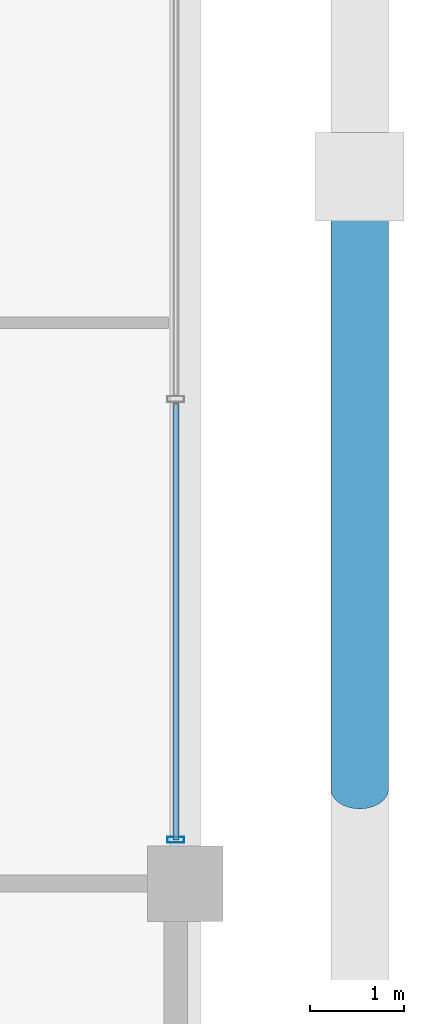
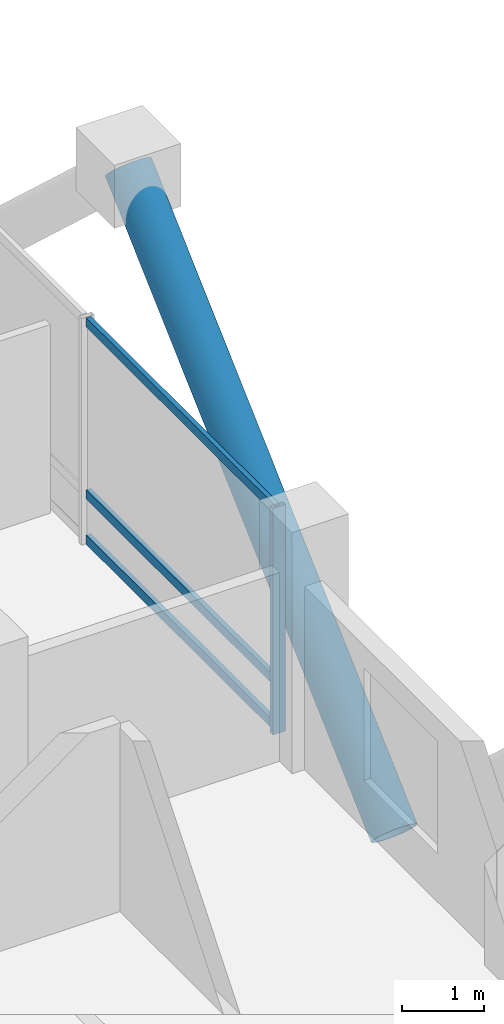
# One storey, part 8 of 23: 5 members, 1 element without a shape of its own.
"""IFC4 building model written with IfcOpenShell, lengths in metres."""

from ifc_helpers import new_model, si_unit, direction, frame, origin, origin_2d, place, context, subcontext, project, spatial, hollow_rectangle, hollow_circle, extrude, material, layer, layer_set, material_profile, profile_set, type_object, element, aggregate, save


model = new_model("IFC4")

# Units and contexts
model_context = context("Model", 3, precision=1e-05, world=origin(), true_north=direction((0.0, 1.0)))
body_context = subcontext(model_context, "Body", "Model", "MODEL_VIEW")
ifc_project = project(units=[si_unit("LENGTHUNIT", "METRE"), si_unit("AREAUNIT", "SQUARE_METRE"), si_unit("VOLUMEUNIT", "CUBIC_METRE"), si_unit("PLANEANGLEUNIT", "RADIAN"), si_unit("MASSUNIT", "GRAM", prefix="KILO")], contexts=[model_context])

# Site, building, storey
site_placement = place(None, origin())
site = spatial("IfcSite", under=ifc_project, at=site_placement, CompositionType="ELEMENT")
building_placement = place(site_placement, origin())
building = spatial("IfcBuilding", under=site, at=building_placement, Name="Barlavira Tower and Art Museum", CompositionType="ELEMENT")
storey_placement = place(building_placement, frame((0.0, 0.0, 36.0)))
storey = spatial("IfcBuildingStorey", under=building, at=storey_placement, Name="L07", CompositionType="ELEMENT", Elevation=36.0)

# Curtain wall, members
ifc_material_1 = material(Name="Low-iron coastal laminated glass", Category="glass")
ifc_layer = layer(ifc_material_1, 0.179931640625, Name="Low-iron coastal laminated glass")
ifc_layer_set = layer_set([ifc_layer], Name="Low-iron coastal laminated glass")
curtain_wall_type = type_object("IfcCurtainWallType", Name="Pale-Metal Unitised Curtain Wall Zone 1", PredefinedType="NOTDEFINED", material=ifc_layer_set)
curtain_wall_placement = place(storey_placement, origin())
curtain_wall = element("IfcCurtainWall", 1, at=curtain_wall_placement, inside=storey, type_object=curtain_wall_type, Name="L07 Curtain Wall CW1-L07-E-B3", PredefinedType="NOTDEFINED")
ifc_material_2 = material(Name="Pale anodised aluminium", Category="aluminium")
ifc_material_profile_1 = material_profile(ifc_material_2, hollow_rectangle(XDim=0.06494140625, YDim=0.179931640625, WallThickness=0.00390625, at=origin_2d()), Name="ALU-MULL 65x180x4")
ifc_profile_set_1 = profile_set([ifc_material_profile_1], Name="Pale anodised aluminium")
member_type_1 = type_object("IfcMemberType", Name="Curtain Wall Pale-Metal Mullion 65x180", PredefinedType="MULLION", material=ifc_profile_set_1)
member_1_placement = place(storey_placement, frame((21.89990234375, -7.034912109375, 0.0), z_axis=(0.0, 0.0, 1.0), x_axis=(0.0, 1.0, 0.0)))
member_1 = element("IfcMember", 2, at=member_1_placement, type_object=member_type_1, Name="CW1-L07-E-B3 Mullion 0", PredefinedType="MULLION", context=body_context, shape_type="SweptSolid", body=[
    extrude(hollow_rectangle(XDim=0.06494140625, YDim=0.179931640625, WallThickness=0.00390625, at=origin_2d()), origin(), (0.0, 0.0, 1.0), 3.3798828125),
])
ifc_material_profile_2 = material_profile(ifc_material_2, hollow_rectangle(XDim=0.06494140625, YDim=0.139892578125, WallThickness=0.00390625, at=origin_2d()), Name="ALU-TRAN 65x140x4")
ifc_profile_set_2 = profile_set([ifc_material_profile_2], Name="Pale anodised aluminium")
member_type_2 = type_object("IfcMemberType", Name="Curtain Wall Pale-Metal Transom 65x140", PredefinedType="USERDEFINED", material=ifc_profile_set_2)
member_2_placement = place(storey_placement, frame((21.89990234375, -7.034912109375, 0.070068359375), z_axis=(0.0, 1.0, 0.0), x_axis=(-1.0, 0.0, 0.0)))
member_2 = element("IfcMember", 3, at=member_2_placement, type_object=member_type_2, Name="CW1-L07-E-B3 Transom 0.1", ObjectType="TRANSOM", PredefinedType="USERDEFINED", context=body_context, shape_type="SweptSolid", body=[
    extrude(hollow_rectangle(XDim=0.06494140625, YDim=0.139892578125, WallThickness=0.00390625, at=origin_2d()), origin(), (0.0, 0.0, 1.0), 4.6298828125),
])
member_3_placement = place(storey_placement, frame((21.89990234375, -7.034912109375, 0.743896484375), z_axis=(0.0, 1.0, 0.0), x_axis=(-1.0, 0.0, 0.0)))
member_3 = element("IfcMember", 4, at=member_3_placement, type_object=member_type_2, Name="CW1-L07-E-B3 Transom 0.2", ObjectType="TRANSOM", PredefinedType="USERDEFINED", context=body_context, shape_type="SweptSolid", body=[
    extrude(hollow_rectangle(XDim=0.06494140625, YDim=0.139892578125, WallThickness=0.00390625, at=origin_2d()), origin(), (0.0, 0.0, 1.0), 4.6298828125),
])
member_4_placement = place(storey_placement, frame((21.89990234375, -7.034912109375, 3.31005859375), z_axis=(0.0, 1.0, 0.0), x_axis=(-1.0, 0.0, 0.0)))
member_4 = element("IfcMember", 5, at=member_4_placement, type_object=member_type_2, Name="CW1-L07-E-B3 Transom 0.3", ObjectType="TRANSOM", PredefinedType="USERDEFINED", context=body_context, shape_type="SweptSolid", body=[
    extrude(hollow_rectangle(XDim=0.06494140625, YDim=0.139892578125, WallThickness=0.00390625, at=origin_2d()), origin(), (0.0, 0.0, 1.0), 4.6298828125),
])
aggregate(curtain_wall, [member_1, member_2, member_3, member_4])

# Member
ifc_material_3 = material(Name="Steel S355", Category="steel")
ifc_material_profile_3 = material_profile(ifc_material_3, hollow_circle(Radius=0.304931640625, WallThickness=0.028076171875, at=origin_2d()), Name="CHS 610.0x28.0")
ifc_profile_set_3 = profile_set([ifc_material_profile_3], Name="Steel S355")
member_type_3 = type_object("IfcMemberType", Name="Pale-Metal Exoskeleton Diagrid Tube CHS 610x28 Steel S355", PredefinedType="BRACE", material=ifc_profile_set_3)
member_5_placement = place(storey_placement, frame((23.85009765625, -6.5, -2.52001953125), z_axis=(0.0, 0.734803444627, 0.678280102733), x_axis=(-1.0, 0.0, 0.0)))
element("IfcMember", 6, at=member_5_placement, inside=storey, type_object=member_type_3, Name="L07 Exoskeleton Diagrid Tube E", PredefinedType="BRACE", context=body_context, shape_type="SweptSolid", body=[
    extrude(hollow_circle(Radius=0.304931640625, WallThickness=0.028076171875, at=origin_2d()), origin(), (0.0, 0.0, 1.0), 8.845947265625),
])

save(model, "model.ifc")
